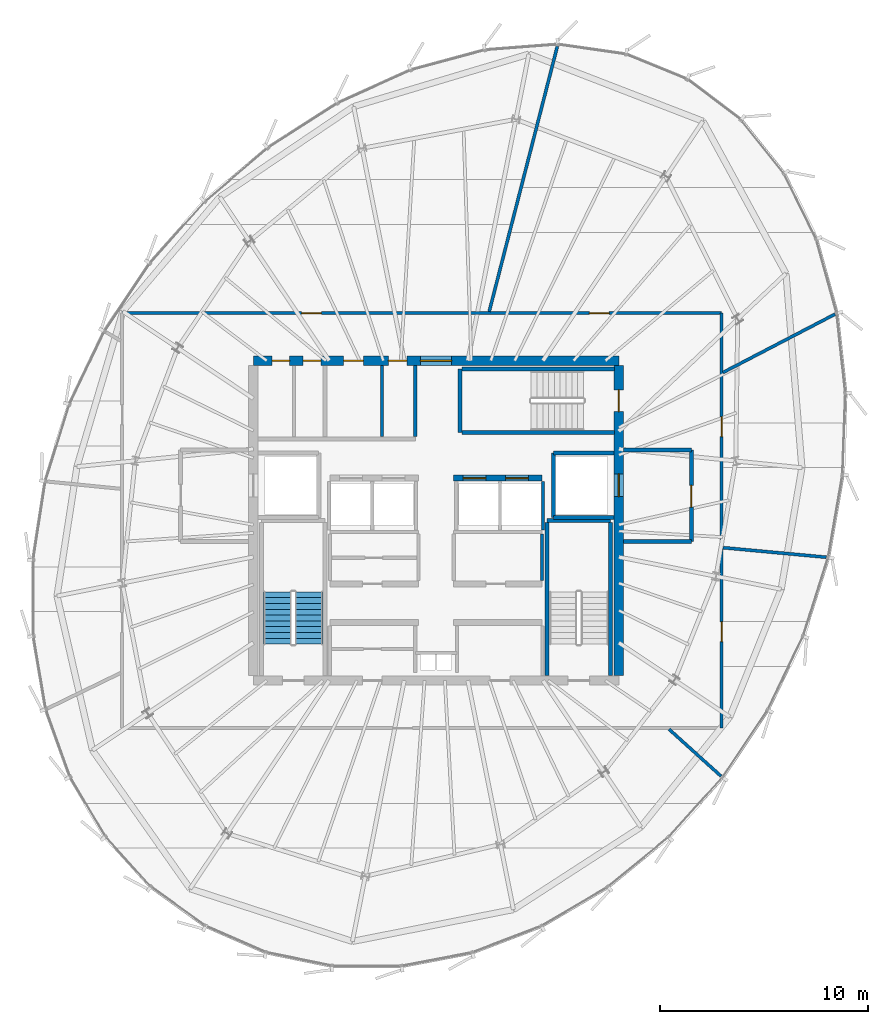
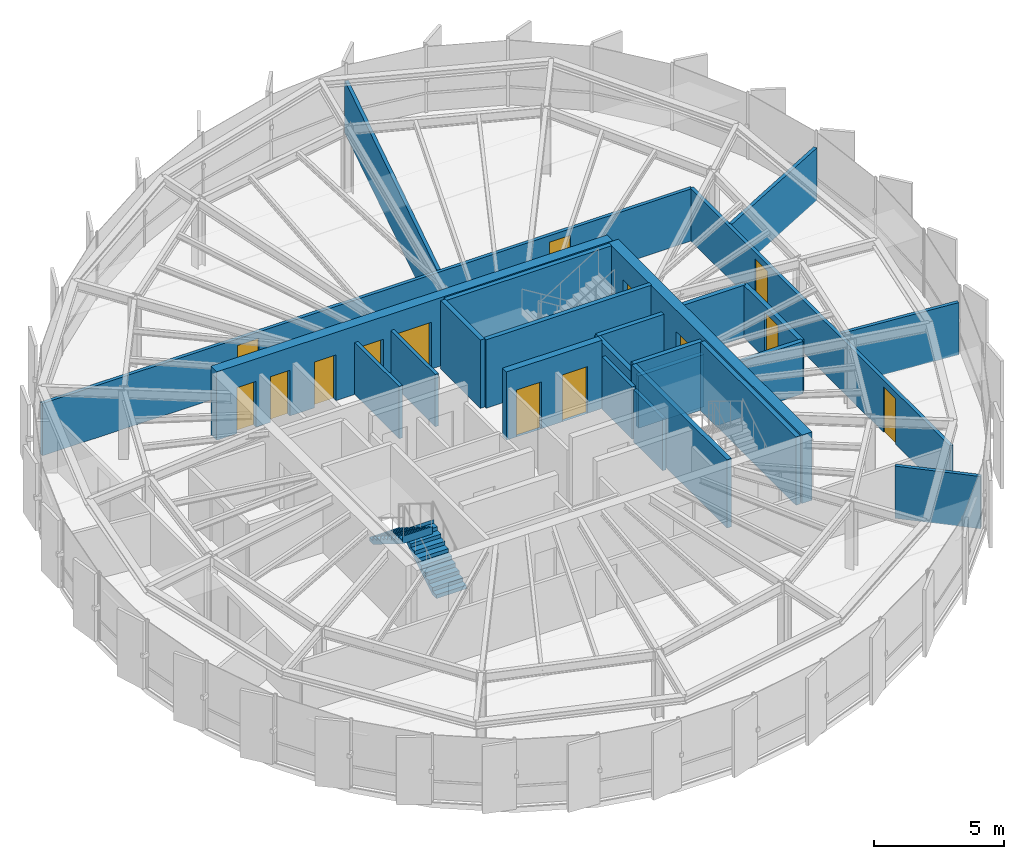
# One storey, part 26 of 31: 25 walls, 14 doors, 2 stair flights, 14 openings, 1 element without a shape of its own.
"""IFC4 building model written with IfcOpenShell, lengths in metres."""

from ifc_helpers import new_model, si_unit, direction, frame, frame_2d, origin, place, context, subcontext, project, spatial, polyline, rectangle, outline, extrude, source, transform, mapped, material, layer, layer_set, type_object, element, fill, aggregate, save


model = new_model("IFC4")

# Units and contexts
model_context = context("Model", 3, precision=1e-05, world=origin(), true_north=direction((0.0, 1.0)))
body_context = subcontext(model_context, "Body", "Model", "MODEL_VIEW")
ifc_project = project(units=[si_unit("LENGTHUNIT", "METRE"), si_unit("AREAUNIT", "SQUARE_METRE"), si_unit("VOLUMEUNIT", "CUBIC_METRE"), si_unit("PLANEANGLEUNIT", "RADIAN"), si_unit("MASSUNIT", "GRAM", prefix="KILO"), si_unit("THERMODYNAMICTEMPERATUREUNIT", "KELVIN")], contexts=[model_context])

# Site, building, storey
site_placement = place(None, origin())
site = spatial("IfcSite", under=ifc_project, at=site_placement, CompositionType="ELEMENT")
building_placement = place(site_placement, origin())
building = spatial("IfcBuilding", under=site, at=building_placement, Name="Kethvar Cultural Tower", CompositionType="ELEMENT")
storey_placement = place(building_placement, frame((0.0, 0.0, 276.699951171875)))
storey = spatial("IfcBuildingStorey", under=building, at=storey_placement, Name="L73", CompositionType="ELEMENT", Elevation=276.699951171875)

# Wall, openings, doors
ifc_material_1 = material(Name="Concrete C50/60", Category="concrete")
ifc_layer_1 = layer(ifc_material_1, 0.449951171875, Name="Concrete C50/60", Category="concrete")
ifc_layer_set_1 = layer_set([ifc_layer_1], Name="Concrete C50/60 (450 mm)")
wall_type_1 = type_object("IfcWallType", Name="WL-CORE-450", PredefinedType="SHEAR", material=ifc_layer_set_1)
wall_1_placement = place(storey_placement, frame((55.60009765625, 35.5, 0.0), z_axis=(0.0, 0.0, 1.0), x_axis=(-1.0, 0.0, 0.0)))
wall_1 = element("IfcWall", 1, at=wall_1_placement, inside=storey, type_object=wall_type_1, Name="L73 Core Shear Wall N", PredefinedType="SHEAR", context=body_context, shape_type="SweptSolid", body=[
    extrude(rectangle(XDim=17.60009765625, YDim=0.449951171875, at=frame_2d((8.800048828125, 0.0))), origin(), (0.0, 0.0, 1.0), 3.2099609375),
])
opening_1_placement = place(wall_1_placement, frame((8.050048828125, 0.0, 0.0)))
opening_1 = element("IfcOpeningElement", 2, at=opening_1_placement, cuts=wall_1, Name="Opening D-L73-LN", PredefinedType="OPENING", context=body_context, shape_type="SweptSolid", body=[
    extrude(rectangle(XDim=1.5, YDim=2.199951171875, at=frame_2d((0.75, 1.10009765625))), frame((0.0, 0.23486328125, 0.0), z_axis=(0.0, -1.0, 0.0), x_axis=(1.0, 0.0, 0.0)), (0.0, 0.0, 1.0), 0.469970703125),
])
opening_2_placement = place(wall_1_placement, frame((15.85009765625, 0.0, 0.0)))
opening_2 = element("IfcOpeningElement", 3, at=opening_2_placement, cuts=wall_1, Name="Opening D-L73-E1", PredefinedType="OPENING", context=body_context, shape_type="SweptSolid", body=[
    extrude(rectangle(XDim=0.85009765625, YDim=2.14990234375, at=frame_2d((0.425048828125, 1.074951171875))), frame((0.0, 0.23486328125, 0.0), z_axis=(0.0, -1.0, 0.0), x_axis=(1.0, 0.0, 0.0)), (0.0, 0.0, 1.0), 0.469970703125),
])
opening_3_placement = place(wall_1_placement, frame((14.35009765625, 0.0, 0.0)))
opening_3 = element("IfcOpeningElement", 4, at=opening_3_placement, cuts=wall_1, Name="Opening D-L73-E2", PredefinedType="OPENING", context=body_context, shape_type="SweptSolid", body=[
    extrude(rectangle(XDim=0.85009765625, YDim=2.14990234375, at=frame_2d((0.425048828125, 1.074951171875))), frame((0.0, 0.23486328125, 0.0), z_axis=(0.0, -1.0, 0.0), x_axis=(1.0, 0.0, 0.0)), (0.0, 0.0, 1.0), 0.469970703125),
])
opening_4_placement = place(wall_1_placement, frame((12.300048828125, 0.0, 0.0)))
opening_4 = element("IfcOpeningElement", 5, at=opening_4_placement, cuts=wall_1, Name="Opening D-L73-W1", PredefinedType="OPENING", context=body_context, shape_type="SweptSolid", body=[
    extrude(rectangle(XDim=0.949951171875, YDim=2.14990234375, at=frame_2d((0.47509765625, 1.074951171875))), frame((0.0, 0.23486328125, 0.0), z_axis=(0.0, -1.0, 0.0), x_axis=(1.0, 0.0, 0.0)), (0.0, 0.0, 1.0), 0.469970703125),
])
opening_5_placement = place(wall_1_placement, frame((10.199951171875, 0.0, 0.0)))
opening_5 = element("IfcOpeningElement", 6, at=opening_5_placement, cuts=wall_1, Name="Opening D-L73-W2", PredefinedType="OPENING", context=body_context, shape_type="SweptSolid", body=[
    extrude(rectangle(XDim=0.89990234375, YDim=2.14990234375, at=frame_2d((0.449951171875, 1.074951171875))), frame((0.0, 0.23486328125, 0.0), z_axis=(0.0, -1.0, 0.0), x_axis=(1.0, 0.0, 0.0)), (0.0, 0.0, 1.0), 0.469970703125),
])
ifc_material_2 = material(Name="Architectural Oak Timber", Category="wood")
door_type_1 = type_object("IfcDoorType", Name="DR-DBL-FD60-1500", OperationType="DOUBLE_DOOR_SINGLE_SWING", PredefinedType="DOOR", material=ifc_material_2)
shared_shape_1 = source(origin(), body_context, "Body", "SweptSolid", [
    extrude(rectangle(XDim=1.5, YDim=2.199951171875, at=frame_2d((0.75, 1.10009765625))), frame((0.0, 0.02490234375, 0.0), z_axis=(0.0, -1.0, 0.0), x_axis=(1.0, 0.0, 0.0)), (0.0, 0.0, 1.0), 0.050048828125),
])
door_1_placement = place(opening_1_placement, origin())
door_1 = element("IfcDoor", 7, at=door_1_placement, inside=storey, type_object=door_type_1, Name="L73 Lift Lobby Concourse Door", OperationType="DOUBLE_DOOR_SINGLE_SWING", OverallHeight=2.199951171875, OverallWidth=1.5, PredefinedType="DOOR", context=body_context, shape_type="MappedRepresentation", body=[
    mapped(shared_shape_1, transform((0.0, 0.0, 0.0), scale=1.0)),
])
fill(opening_1, door_1)
door_type_2 = type_object("IfcDoorType", Name="DR-FD30-950", OperationType="NOTDEFINED", PredefinedType="DOOR", material=ifc_material_2)
shared_shape_2 = source(origin(), body_context, "Body", "SweptSolid", [
    extrude(rectangle(XDim=0.949951171875, YDim=2.14990234375, at=frame_2d((0.47509765625, 1.074951171875))), frame((0.0, 0.02490234375, 0.0), z_axis=(0.0, -1.0, 0.0), x_axis=(1.0, 0.0, 0.0)), (0.0, 0.0, 1.0), 0.050048828125),
])
door_2_placement = place(opening_4_placement, origin())
door_2 = element("IfcDoor", 8, at=door_2_placement, inside=storey, type_object=door_type_2, Name="L73 Public Washroom Door", OperationType="SINGLE_SWING_LEFT", OverallHeight=2.14990234375, OverallWidth=0.949951171875, PredefinedType="DOOR", context=body_context, shape_type="MappedRepresentation", body=[
    mapped(shared_shape_2, transform((0.0, 0.0, 0.0), scale=1.0)),
])
fill(opening_4, door_2)
door_type_3 = type_object("IfcDoorType", Name="DR-FD30-900", OperationType="NOTDEFINED", PredefinedType="DOOR", material=ifc_material_2)
shared_shape_3 = source(origin(), body_context, "Body", "SweptSolid", [
    extrude(rectangle(XDim=0.89990234375, YDim=2.14990234375, at=frame_2d((0.449951171875, 1.074951171875))), frame((0.0, 0.02490234375, 0.0), z_axis=(0.0, -1.0, 0.0), x_axis=(1.0, 0.0, 0.0)), (0.0, 0.0, 1.0), 0.050048828125),
])
door_3_placement = place(opening_5_placement, origin())
door_3 = element("IfcDoor", 9, at=door_3_placement, inside=storey, type_object=door_type_3, Name="L73 Accessible Washroom Door", OperationType="SINGLE_SWING_RIGHT", OverallHeight=2.14990234375, OverallWidth=0.89990234375, PredefinedType="DOOR", context=body_context, shape_type="MappedRepresentation", body=[
    mapped(shared_shape_3, transform((0.0, 0.0, 0.0), scale=1.0)),
])
fill(opening_5, door_3)
ifc_material_3 = material(Name="Steel S355J2", Category="steel")
door_type_4 = type_object("IfcDoorType", Name="DR-FD30-850", OperationType="NOTDEFINED", PredefinedType="DOOR", material=ifc_material_3)
shared_shape_4 = source(origin(), body_context, "Body", "SweptSolid", [
    extrude(rectangle(XDim=0.85009765625, YDim=2.14990234375, at=frame_2d((0.425048828125, 1.074951171875))), frame((0.0, 0.02490234375, 0.0), z_axis=(0.0, -1.0, 0.0), x_axis=(1.0, 0.0, 0.0)), (0.0, 0.0, 1.0), 0.050048828125),
])
door_4_placement = place(opening_2_placement, origin())
door_4 = element("IfcDoor", 10, at=door_4_placement, inside=storey, type_object=door_type_4, Name="L73 Electrical Riser Door", OperationType="SINGLE_SWING_LEFT", OverallHeight=2.14990234375, OverallWidth=0.85009765625, PredefinedType="DOOR", context=body_context, shape_type="MappedRepresentation", body=[
    mapped(shared_shape_4, transform((0.0, 0.0, 0.0), scale=1.0)),
])
fill(opening_2, door_4)
door_5_placement = place(opening_3_placement, origin())
door_5 = element("IfcDoor", 11, at=door_5_placement, inside=storey, type_object=door_type_4, Name="L73 Chilled Water Riser Door", OperationType="SINGLE_SWING_RIGHT", OverallHeight=2.14990234375, OverallWidth=0.85009765625, PredefinedType="DOOR", context=body_context, shape_type="MappedRepresentation", body=[
    mapped(shared_shape_4, transform((0.0, 0.0, 0.0), scale=1.0)),
])
fill(opening_3, door_5)

wall_2_placement = place(storey_placement, frame((55.60009765625, 20.340087890625, 0.0), z_axis=(0.0, 0.0, 1.0), x_axis=(0.0, 1.0, 0.0)))
wall_2 = element("IfcWall", 12, at=wall_2_placement, inside=storey, type_object=wall_type_1, Name="L73 Core Shear Wall E", PredefinedType="SHEAR", context=body_context, shape_type="SweptSolid", body=[
    extrude(rectangle(XDim=14.919921875, YDim=0.449951171875, at=frame_2d((7.4599609375, 0.0))), origin(), (0.0, 0.0, 1.0), 3.2099609375),
])
opening_6_placement = place(wall_2_placement, frame((12.7099609375, 0.0, 0.0)))
opening_6 = element("IfcOpeningElement", 13, at=opening_6_placement, cuts=wall_2, Name="Opening D-L73-S3", PredefinedType="OPENING", context=body_context, shape_type="SweptSolid", body=[
    extrude(rectangle(XDim=1.050048828125, YDim=2.14990234375, at=frame_2d((0.52490234375, 1.074951171875))), frame((0.0, 0.23486328125, 0.0), z_axis=(0.0, -1.0, 0.0), x_axis=(1.0, 0.0, 0.0)), (0.0, 0.0, 1.0), 0.469970703125),
])
opening_7_placement = place(wall_2_placement, frame((8.610107421875, 0.0, 0.0)))
opening_7 = element("IfcOpeningElement", 14, at=opening_7_placement, cuts=wall_2, Name="Opening LD-2", PredefinedType="OPENING", context=body_context, shape_type="SweptSolid", body=[
    extrude(rectangle(XDim=1.10009765625, YDim=2.199951171875, at=frame_2d((0.550048828125, 1.10009765625))), frame((0.0, 0.23486328125, 0.0), z_axis=(0.0, -1.0, 0.0), x_axis=(1.0, 0.0, 0.0)), (0.0, 0.0, 1.0), 0.469970703125),
])
door_type_5 = type_object("IfcDoorType", Name="DR-FD60-1050", OperationType="NOTDEFINED", PredefinedType="DOOR", material=ifc_material_3)
shared_shape_5 = source(origin(), body_context, "Body", "SweptSolid", [
    extrude(rectangle(XDim=1.050048828125, YDim=2.14990234375, at=frame_2d((0.52490234375, 1.074951171875))), frame((0.0, 0.02490234375, 0.0), z_axis=(0.0, -1.0, 0.0), x_axis=(1.0, 0.0, 0.0)), (0.0, 0.0, 1.0), 0.050048828125),
])
door_6_placement = place(opening_6_placement, origin())
door_6 = element("IfcDoor", 15, at=door_6_placement, inside=storey, type_object=door_type_5, Name="L73 Exit Stair 3 Door", OperationType="SINGLE_SWING_LEFT", OverallHeight=2.14990234375, OverallWidth=1.050048828125, PredefinedType="DOOR", context=body_context, shape_type="MappedRepresentation", body=[
    mapped(shared_shape_5, transform((0.0, 0.0, 0.0), scale=1.0)),
])
fill(opening_6, door_6)
door_type_6 = type_object("IfcDoorType", Name="DR-LIFT-SLIDE-1100", OperationType="NOTDEFINED", PredefinedType="DOOR", material=ifc_material_3)
shared_shape_6 = source(origin(), body_context, "Body", "SweptSolid", [
    extrude(rectangle(XDim=1.10009765625, YDim=2.199951171875, at=frame_2d((0.550048828125, 1.10009765625))), frame((0.0, 0.02490234375, 0.0), z_axis=(0.0, -1.0, 0.0), x_axis=(1.0, 0.0, 0.0)), (0.0, 0.0, 1.0), 0.050048828125),
])
door_7_placement = place(opening_7_placement, origin())
door_7 = element("IfcDoor", 16, at=door_7_placement, inside=storey, type_object=door_type_6, Name="L73 Firefighting Lift Landing Door FFL-02", OperationType="SLIDING_TO_RIGHT", OverallHeight=2.199951171875, OverallWidth=1.10009765625, PredefinedType="DOOR", context=body_context, shape_type="MappedRepresentation", body=[
    mapped(shared_shape_6, transform((0.0, 0.0, 0.0), scale=1.0)),
])
fill(opening_7, door_7)

# Walls
ifc_material_4 = material(Name="Gypsum Fireboard Partition")
ifc_layer_2 = layer(ifc_material_4, 0.14990234375, Name="Gypsum Fireboard Partition")
ifc_layer_set_2 = layer_set([ifc_layer_2], Name="Gypsum Fireboard Partition (150 mm)")
wall_type_2 = type_object("IfcWallType", Name="WL-FIRE-150", PredefinedType="PARTITIONING", material=ifc_layer_set_2)
wall_3_placement = place(storey_placement, frame((51.89990234375, 24.919921875, 0.0), z_axis=(0.0, 0.0, 1.0), x_axis=(0.0, 1.0, 0.0)))
element("IfcWall", 17, at=wall_3_placement, inside=storey, type_object=wall_type_2, Name="L73 Reclaimed Mid Outer E", PredefinedType="PARTITIONING", context=body_context, shape_type="SweptSolid", body=[
    extrude(rectangle(XDim=2.239990234375, YDim=0.14990234375, at=frame_2d((1.1201171875, 0.0))), origin(), (0.0, 0.0, 1.0), 2.455078125),
])
wall_4_placement = place(storey_placement, frame((51.949951171875, 27.340087890625, 0.0), z_axis=(0.0, 0.0, 1.0), x_axis=(0.0, 1.0, 0.0)))
element("IfcWall", 18, at=wall_4_placement, inside=storey, type_object=wall_type_2, Name="L73 High-Rise Lift Shaft Outer Wall E", PredefinedType="PARTITIONING", context=body_context, shape_type="SweptSolid", body=[
    extrude(rectangle(XDim=2.33984375, YDim=0.14990234375, at=frame_2d((1.169921875, 0.0))), origin(), (0.0, 0.0, 1.0), 2.455078125),
])
wall_5_placement = place(storey_placement, frame((45.800048828125, 31.85009765625, 0.0), z_axis=(0.0, 0.0, 1.0), x_axis=(0.0, 1.0, 0.0)))
element("IfcWall", 19, at=wall_5_placement, inside=storey, type_object=wall_type_2, Name="L73 Sanitary Spine Wall", PredefinedType="PARTITIONING", context=body_context, shape_type="SweptSolid", body=[
    extrude(rectangle(XDim=3.414794921875, YDim=0.14990234375, at=frame_2d((1.70751953125, 0.0))), origin(), (0.0, 0.0, 1.0), 2.455078125),
])

# Wall, openings, doors
wall_6_placement = place(storey_placement, frame((60.550048828125, 17.806884765625, 0.0), z_axis=(0.0, 0.0, 1.0), x_axis=(0.0, 1.0, 0.0)))
wall_6 = element("IfcWall", 20, at=wall_6_placement, inside=storey, type_object=wall_type_2, Name="L73 Corridor Rated Wall E", PredefinedType="PARTITIONING", context=body_context, shape_type="SweptSolid", body=[
    extrude(rectangle(XDim=19.986083984375, YDim=0.14990234375, at=frame_2d((9.9931640625, 0.0))), origin(), (0.0, 0.0, 1.0), 2.455078125),
])
opening_8_placement = place(wall_6_placement, frame((4.16357421875, 0.0, 0.0)))
opening_8 = element("IfcOpeningElement", 21, at=opening_8_placement, cuts=wall_6, Name="Opening D-L73-02", PredefinedType="OPENING", context=body_context, shape_type="SweptSolid", body=[
    extrude(rectangle(XDim=0.949951171875, YDim=2.14990234375, at=frame_2d((0.47509765625, 1.074951171875))), frame((0.0, 0.0849609375, 0.0), z_axis=(0.0, -1.0, 0.0), x_axis=(1.0, 0.0, 0.0)), (0.0, 0.0, 1.0), 0.169921875),
])
opening_9_placement = place(wall_6_placement, frame((14.036376953125, 0.0, 0.0)))
opening_9 = element("IfcOpeningElement", 22, at=opening_9_placement, cuts=wall_6, Name="Opening D-L73-03", PredefinedType="OPENING", context=body_context, shape_type="SweptSolid", body=[
    extrude(rectangle(XDim=0.949951171875, YDim=2.14990234375, at=frame_2d((0.47509765625, 1.074951171875))), frame((0.0, 0.0849609375, 0.0), z_axis=(0.0, -1.0, 0.0), x_axis=(1.0, 0.0, 0.0)), (0.0, 0.0, 1.0), 0.169921875),
])
door_8_placement = place(opening_8_placement, origin())
door_8 = element("IfcDoor", 23, at=door_8_placement, inside=storey, type_object=door_type_2, Name="L73 Hospitality Sitting Lounge 02 Door", OperationType="SINGLE_SWING_LEFT", OverallHeight=2.14990234375, OverallWidth=0.949951171875, PredefinedType="DOOR", context=body_context, shape_type="MappedRepresentation", body=[
    mapped(shared_shape_2, transform((0.0, 0.0, 0.0), scale=1.0)),
])
fill(opening_8, door_8)
door_9_placement = place(opening_9_placement, origin())
door_9 = element("IfcDoor", 24, at=door_9_placement, inside=storey, type_object=door_type_2, Name="L73 Institutional Tenant Office 03 Door", OperationType="SINGLE_SWING_RIGHT", OverallHeight=2.14990234375, OverallWidth=0.949951171875, PredefinedType="DOOR", context=body_context, shape_type="MappedRepresentation", body=[
    mapped(shared_shape_2, transform((0.0, 0.0, 0.0), scale=1.0)),
])
fill(opening_9, door_9)

wall_7_placement = place(storey_placement, frame((60.550048828125, 37.79296875, 0.0), z_axis=(0.0, 0.0, 1.0), x_axis=(-1.0, 0.0, 0.0)))
wall_7 = element("IfcWall", 25, at=wall_7_placement, inside=storey, type_object=wall_type_2, Name="L73 Corridor Rated Wall N", PredefinedType="PARTITIONING", context=body_context, shape_type="SweptSolid", body=[
    extrude(rectangle(XDim=28.8701171875, YDim=0.14990234375, at=frame_2d((14.43505859375, 0.0))), origin(), (0.0, 0.0, 1.0), 2.455078125),
])
opening_10_placement = place(wall_7_placement, frame((5.41943359375, 0.0, 0.0)))
opening_10 = element("IfcOpeningElement", 26, at=opening_10_placement, cuts=wall_7, Name="Opening D-L73-04", PredefinedType="OPENING", context=body_context, shape_type="SweptSolid", body=[
    extrude(rectangle(XDim=0.949951171875, YDim=2.14990234375, at=frame_2d((0.47509765625, 1.074951171875))), frame((0.0, 0.0849609375, 0.0), z_axis=(0.0, -1.0, 0.0), x_axis=(1.0, 0.0, 0.0)), (0.0, 0.0, 1.0), 0.169921875),
])
opening_11_placement = place(wall_7_placement, frame((19.27001953125, 0.0, 0.0)))
opening_11 = element("IfcOpeningElement", 27, at=opening_11_placement, cuts=wall_7, Name="Opening D-L73-05", PredefinedType="OPENING", context=body_context, shape_type="SweptSolid", body=[
    extrude(rectangle(XDim=0.949951171875, YDim=2.14990234375, at=frame_2d((0.47509765625, 1.074951171875))), frame((0.0, 0.0849609375, 0.0), z_axis=(0.0, -1.0, 0.0), x_axis=(1.0, 0.0, 0.0)), (0.0, 0.0, 1.0), 0.169921875),
])
door_10_placement = place(opening_10_placement, origin())
door_10 = element("IfcDoor", 28, at=door_10_placement, inside=storey, type_object=door_type_2, Name="L73 Operations Control Room 04 Door", OperationType="SINGLE_SWING_LEFT", OverallHeight=2.14990234375, OverallWidth=0.949951171875, PredefinedType="DOOR", context=body_context, shape_type="MappedRepresentation", body=[
    mapped(shared_shape_2, transform((0.0, 0.0, 0.0), scale=1.0)),
])
fill(opening_10, door_10)
door_11_placement = place(opening_11_placement, origin())
door_11 = element("IfcDoor", 29, at=door_11_placement, inside=storey, type_object=door_type_2, Name="L73 Manuscript Archive Store 05 Door", OperationType="SINGLE_SWING_RIGHT", OverallHeight=2.14990234375, OverallWidth=0.949951171875, PredefinedType="DOOR", context=body_context, shape_type="MappedRepresentation", body=[
    mapped(shared_shape_2, transform((0.0, 0.0, 0.0), scale=1.0)),
])
fill(opening_11, door_11)

# Walls
ifc_material_5 = material(Name="Concrete C40/50", Category="concrete")
ifc_layer_3 = layer(ifc_material_5, 0.199951171875, Name="Concrete C40/50", Category="concrete")
ifc_layer_set_3 = layer_set([ifc_layer_3], Name="Concrete C40/50 (200 mm)")
wall_type_3 = type_object("IfcWallType", Name="WL-FIRE-200", PredefinedType="PARTITIONING", material=ifc_layer_set_3)
wall_8_placement = place(storey_placement, frame((52.449951171875, 27.949951171875, 0.0), z_axis=(0.0, 0.0, 1.0), x_axis=(0.0, 1.0, 0.0)))
element("IfcWall", 30, at=wall_8_placement, inside=storey, type_object=wall_type_3, Name="L73 FFL-02 Shaft Inner Wall", PredefinedType="PARTITIONING", context=body_context, shape_type="SweptSolid", body=[
    extrude(rectangle(XDim=3.10009765625, YDim=0.199951171875, at=frame_2d((1.550048828125, 0.0))), origin(), (0.0, 0.0, 1.0), 2.455078125),
])
for number, where, z_axis, x_axis, name in (
    (31, (52.449951171875, 27.949951171875, 0.0), (0.0, 0.0, 1.0), (1.0, 0.0, 0.0), "L73 FFL-02 Shaft South Wall"),
    (32, (52.449951171875, 31.050048828125, 0.0), (0.0, 0.0, 1.0), (1.0, 0.0, 0.0), "L73 FFL-02 Shaft North Wall"),
):
    element("IfcWall", number, at=place(storey_placement, frame(where, z_axis=z_axis, x_axis=x_axis)), inside=storey, type_object=wall_type_3, Name=name, PredefinedType="PARTITIONING", context=body_context, shape_type="SweptSolid", body=[
        extrude(rectangle(XDim=2.9150390625, YDim=0.199951171875, at=frame_2d((1.45751953125, 0.0))), origin(), (0.0, 0.0, 1.0), 2.455078125),
    ])

# Wall, opening, door
wall_9_placement = place(storey_placement, frame((59.10009765625, 26.800048828125, 0.0), z_axis=(0.0, 0.0, 1.0), x_axis=(0.0, 1.0, 0.0)))
wall_9 = element("IfcWall", 33, at=wall_9_placement, inside=storey, type_object=wall_type_3, Name="L73 Firefighting Lobby 2 Wall", PredefinedType="PARTITIONING", context=body_context, shape_type="SweptSolid", body=[
    extrude(rectangle(XDim=4.39990234375, YDim=0.199951171875, at=frame_2d((2.199951171875, 0.0))), origin(), (0.0, 0.0, 1.0), 2.455078125),
])
opening_12_placement = place(wall_9_placement, frame((1.64990234375, 0.0, 0.0)))
opening_12 = element("IfcOpeningElement", 34, at=opening_12_placement, cuts=wall_9, Name="Opening D-L73-F2", PredefinedType="OPENING", context=body_context, shape_type="SweptSolid", body=[
    extrude(rectangle(XDim=1.050048828125, YDim=2.14990234375, at=frame_2d((0.52490234375, 1.074951171875))), frame((0.0, 0.10986328125, 0.0), z_axis=(0.0, -1.0, 0.0), x_axis=(1.0, 0.0, 0.0)), (0.0, 0.0, 1.0), 0.219970703125),
])
door_12_placement = place(opening_12_placement, origin())
door_12 = element("IfcDoor", 35, at=door_12_placement, inside=storey, type_object=door_type_5, Name="L73 Firefighting Lobby 2 Fire Door", OperationType="SINGLE_SWING_LEFT", OverallHeight=2.14990234375, OverallWidth=1.050048828125, PredefinedType="DOOR", context=body_context, shape_type="MappedRepresentation", body=[
    mapped(shared_shape_5, transform((0.0, 0.0, 0.0), scale=1.0)),
])
fill(opening_12, door_12)

# Walls
for number, where, z_axis, x_axis, name in (
    (36, (55.8349609375, 26.800048828125, 0.0), (0.0, 0.0, 1.0), (1.0, 0.0, 0.0), "L73 FF Lobby 2 South Wall"),
    (37, (55.8349609375, 31.199951171875, 0.0), (0.0, 0.0, 1.0), (1.0, 0.0, 0.0), "L73 FF Lobby 2 North Wall"),
):
    element("IfcWall", number, at=place(storey_placement, frame(where, z_axis=z_axis, x_axis=x_axis)), inside=storey, type_object=wall_type_3, Name=name, PredefinedType="PARTITIONING", context=body_context, shape_type="SweptSolid", body=[
        extrude(rectangle(XDim=3.26513671875, YDim=0.199951171875, at=frame_2d((1.632568359375, 0.0))), origin(), (0.0, 0.0, 1.0), 2.455078125),
    ])
ifc_material_6 = material(Name="Gypsum Acoustic Partition")
ifc_layer_4 = layer(ifc_material_6, 0.14990234375, Name="Gypsum Acoustic Partition")
ifc_layer_set_4 = layer_set([ifc_layer_4], Name="Gypsum Acoustic Partition (150 mm)")
wall_type_4 = type_object("IfcWallType", Name="WL-PART-150", PredefinedType="PARTITIONING", material=ifc_layer_set_4)
wall_10_placement = place(storey_placement, frame((58.0205078125, 17.75341796875, 0.0), z_axis=(0.0, 0.0, 1.0), x_axis=(0.742383464778, -0.669975216873, 0.0)))
element("IfcWall", 38, at=wall_10_placement, inside=storey, type_object=wall_type_4, Name="L73 Radial Partition Wall 02", PredefinedType="PARTITIONING", context=body_context, shape_type="SweptSolid", body=[
    extrude(rectangle(XDim=3.375, YDim=0.14990234375, at=frame_2d((1.6875, 0.0))), origin(), (0.0, 0.0, 1.0), 2.455078125),
])
wall_11_placement = place(storey_placement, frame((60.629638671875, 26.496826171875, 0.0), z_axis=(0.0, 0.0, 1.0), x_axis=(0.995729843394, -0.092315106964, 0.0)))
element("IfcWall", 39, at=wall_11_placement, inside=storey, type_object=wall_type_4, Name="L73 Radial Partition Wall 03", PredefinedType="PARTITIONING", context=body_context, shape_type="SweptSolid", body=[
    extrude(rectangle(XDim=4.985107421875, YDim=0.14990234375, at=frame_2d((2.49267578125, 0.0))), origin(), (0.0, 0.0, 1.0), 2.455078125),
])
wall_12_placement = place(storey_placement, frame((60.62109375, 34.935546875, 0.0), z_axis=(0.0, 0.0, 1.0), x_axis=(0.887068888944, 0.461637072025, 0.0)))
element("IfcWall", 40, at=wall_12_placement, inside=storey, type_object=wall_type_4, Name="L73 Radial Partition Wall 04", PredefinedType="PARTITIONING", context=body_context, shape_type="SweptSolid", body=[
    extrude(rectangle(XDim=6.08251953125, YDim=0.14990234375, at=frame_2d((3.041259765625, 0.0))), origin(), (0.0, 0.0, 1.0), 2.455078125),
])
wall_13_placement = place(storey_placement, frame((49.36083984375, 37.87060546875, 0.0), z_axis=(0.0, 0.0, 1.0), x_axis=(0.248764179593, 0.968564083038, 0.0)))
element("IfcWall", 41, at=wall_13_placement, inside=storey, type_object=wall_type_4, Name="L73 Radial Partition Wall 05", PredefinedType="PARTITIONING", context=body_context, shape_type="SweptSolid", body=[
    extrude(rectangle(XDim=13.187255859375, YDim=0.14990234375, at=frame_2d((6.59375, 0.0))), origin(), (0.0, 0.0, 1.0), 2.455078125),
])
ifc_material_7 = material(Name="Moisture-Resistant Sanitary Chase Wall")
ifc_layer_5 = layer(ifc_material_7, 0.14990234375, Name="Moisture-Resistant Sanitary Chase Wall")
ifc_layer_set_5 = layer_set([ifc_layer_5], Name="Moisture-Resistant Sanitary Chase Wall (150 mm)")
wall_type_5 = type_object("IfcWallType", Name="WL-PLUMB-150", PredefinedType="PLUMBINGWALL", material=ifc_layer_set_5)
wall_14_placement = place(storey_placement, frame((44.199951171875, 31.85009765625, 0.0), z_axis=(0.0, 0.0, 1.0), x_axis=(0.0, 1.0, 0.0)))
element("IfcWall", 42, at=wall_14_placement, inside=storey, type_object=wall_type_5, Name="L73 Sanitary Plumbing Wall", PredefinedType="PLUMBINGWALL", context=body_context, shape_type="SweptSolid", body=[
    extrude(rectangle(XDim=3.414794921875, YDim=0.14990234375, at=frame_2d((1.70751953125, 0.0))), origin(), (0.0, 0.0, 1.0), 2.455078125),
])

# Wall, openings, doors
ifc_layer_6 = layer(ifc_material_1, 0.300048828125, Name="Concrete C50/60", Category="concrete")
ifc_layer_set_6 = layer_set([ifc_layer_6], Name="Concrete C50/60 (300 mm)")
wall_type_6 = type_object("IfcWallType", Name="WL-SHAFT-300", PredefinedType="SHEAR", material=ifc_layer_set_6)
wall_15_placement = place(storey_placement, frame((47.64990234375, 29.85009765625, 0.0), z_axis=(0.0, 0.0, 1.0), x_axis=(1.0, 0.0, 0.0)))
wall_15 = element("IfcWall", 43, at=wall_15_placement, inside=storey, type_object=wall_type_6, Name="L73 Core Lift Spine Wall MID3E", PredefinedType="SHEAR", context=body_context, shape_type="SweptSolid", body=[
    extrude(rectangle(XDim=4.25, YDim=0.300048828125, at=frame_2d((2.125, 0.0))), origin(), (0.0, 0.0, 1.0), 3.2099609375),
])
opening_13_placement = place(wall_15_placement, frame((0.449951171875, 0.0, 0.0)))
opening_13 = element("IfcOpeningElement", 44, at=opening_13_placement, cuts=wall_15, Name="Opening LD-H3", PredefinedType="OPENING", context=body_context, shape_type="SweptSolid", body=[
    extrude(rectangle(XDim=1.10009765625, YDim=2.199951171875, at=frame_2d((0.550048828125, 1.10009765625))), frame((0.0, 0.159912109375, 0.0), z_axis=(0.0, -1.0, 0.0), x_axis=(1.0, 0.0, 0.0)), (0.0, 0.0, 1.0), 0.320068359375),
])
opening_14_placement = place(wall_15_placement, frame((2.5, 0.0, 0.0)))
opening_14 = element("IfcOpeningElement", 45, at=opening_14_placement, cuts=wall_15, Name="Opening LD-H4", PredefinedType="OPENING", context=body_context, shape_type="SweptSolid", body=[
    extrude(rectangle(XDim=1.10009765625, YDim=2.199951171875, at=frame_2d((0.550048828125, 1.10009765625))), frame((0.0, 0.159912109375, 0.0), z_axis=(0.0, -1.0, 0.0), x_axis=(1.0, 0.0, 0.0)), (0.0, 0.0, 1.0), 0.320068359375),
])
door_13_placement = place(opening_13_placement, origin())
door_13 = element("IfcDoor", 46, at=door_13_placement, inside=storey, type_object=door_type_6, Name="L73 High-Rise Lift Landing Door H3", OperationType="SLIDING_TO_LEFT", OverallHeight=2.199951171875, OverallWidth=1.10009765625, PredefinedType="DOOR", context=body_context, shape_type="MappedRepresentation", body=[
    mapped(shared_shape_6, transform((0.0, 0.0, 0.0), scale=1.0)),
])
fill(opening_13, door_13)
door_14_placement = place(opening_14_placement, origin())
door_14 = element("IfcDoor", 47, at=door_14_placement, inside=storey, type_object=door_type_6, Name="L73 High-Rise Lift Landing Door H4", OperationType="SLIDING_TO_LEFT", OverallHeight=2.199951171875, OverallWidth=1.10009765625, PredefinedType="DOOR", context=body_context, shape_type="MappedRepresentation", body=[
    mapped(shared_shape_6, transform((0.0, 0.0, 0.0), scale=1.0)),
])
fill(opening_14, door_14)

# Walls
ifc_layer_7 = layer(ifc_material_1, 0.199951171875, Name="Concrete C50/60", Category="concrete")
ifc_layer_set_7 = layer_set([ifc_layer_7], Name="Concrete C50/60 (200 mm)")
wall_type_7 = type_object("IfcWallType", Name="WL-STSHAFT-200", PredefinedType="SHEAR", material=ifc_layer_set_7)
wall_16_placement = place(storey_placement, frame((52.14990234375, 27.800048828125, 0.0), z_axis=(0.0, 0.0, 1.0), x_axis=(1.0, 0.0, 0.0)))
element("IfcWall", 48, at=wall_16_placement, inside=storey, type_object=wall_type_7, Name="L73 ST-02 Stair Shaft Wall FAR", PredefinedType="SHEAR", context=body_context, shape_type="SweptSolid", body=[
    extrude(rectangle(XDim=3.06005859375, YDim=0.199951171875, at=frame_2d((1.530029296875, 0.0))), origin(), (0.0, 0.0, 1.0), 3.2099609375),
])
for number, where, z_axis, x_axis, name in (
    (49, (55.2099609375, 27.699951171875, 0.0), (0.0, 0.0, 1.0), (0.0, -1.0, 0.0), "L73 ST-02 Stair Shaft Wall LEFT"),
    (50, (52.14990234375, 20.35009765625, 0.0), (0.0, 0.0, 1.0), (0.0, 1.0, 0.0), "L73 ST-02 Stair Shaft Wall RIGHT"),
):
    element("IfcWall", number, at=place(storey_placement, frame(where, z_axis=z_axis, x_axis=x_axis)), inside=storey, type_object=wall_type_7, Name=name, PredefinedType="SHEAR", context=body_context, shape_type="SweptSolid", body=[
        extrude(rectangle(XDim=7.349853515625, YDim=0.199951171875, at=frame_2d((3.6748046875, 0.0))), origin(), (0.0, 0.0, 1.0), 3.2099609375),
    ])
wall_17_placement = place(storey_placement, frame((47.949951171875, 32.050048828125, 0.0), z_axis=(0.0, 0.0, 1.0), x_axis=(0.0, 1.0, 0.0)))
element("IfcWall", 51, at=wall_17_placement, inside=storey, type_object=wall_type_7, Name="L73 ST-03 Stair Shaft Wall FAR", PredefinedType="SHEAR", context=body_context, shape_type="SweptSolid", body=[
    extrude(rectangle(XDim=3.06005859375, YDim=0.199951171875, at=frame_2d((1.530029296875, 0.0))), origin(), (0.0, 0.0, 1.0), 3.2099609375),
])
for number, where, z_axis, x_axis, name in (
    (52, (48.050048828125, 35.110107421875, 0.0), (0.0, 0.0, 1.0), (1.0, 0.0, 0.0), "L73 ST-03 Stair Shaft Wall LEFT"),
    (53, (55.39990234375, 32.050048828125, 0.0), (0.0, 0.0, 1.0), (-1.0, 0.0, 0.0), "L73 ST-03 Stair Shaft Wall RIGHT"),
):
    element("IfcWall", number, at=place(storey_placement, frame(where, z_axis=z_axis, x_axis=x_axis)), inside=storey, type_object=wall_type_7, Name=name, PredefinedType="SHEAR", context=body_context, shape_type="SweptSolid", body=[
        extrude(rectangle(XDim=7.349853515625, YDim=0.199951171875, at=frame_2d((3.6748046875, 0.0))), origin(), (0.0, 0.0, 1.0), 3.2099609375),
    ])

# Stair, stair flights
stair_type = type_object("IfcStairType", Name="ST-DOGLEG-135", PredefinedType="HALF_TURN_STAIR", material=ifc_material_5)
stair_placement = place(storey_placement, origin())
stair = element("IfcStair", 54, at=stair_placement, inside=storey, type_object=stair_type, Name="L73 Core Exit Stair 1", PredefinedType="HALF_TURN_STAIR")
stair_flight_type = type_object("IfcStairFlightType", Name="FL-STRAIGHT-135", PredefinedType="STRAIGHT", material=ifc_material_5)
stair_flight_1_placement = place(storey_placement, frame((40.675048828125, 21.85009765625, 0.0), z_axis=(0.0, 0.0, 1.0), x_axis=(0.0, 1.0, 0.0)))
stair_flight_1 = element("IfcStairFlight", 55, at=stair_flight_1_placement, type_object=stair_flight_type, Name="ST-01 flight 1", NumberOfRisers=10, NumberOfTreads=9, PredefinedType="STRAIGHT", RiserHeight=0.1725, TreadLength=0.28, context=body_context, shape_type="SweptSolid", body=[
    extrude(outline(polyline([(-0.0009765625, -0.0009765625), (-0.0009765625, 0.172607421875), (0.280029296875, 0.172607421875), (0.280029296875, 0.344970703125), (0.56005859375, 0.344970703125), (0.56005859375, 0.517578125), (0.840087890625, 0.517578125), (0.840087890625, 0.68994140625), (1.1201171875, 0.68994140625), (1.1201171875, 0.862548828125), (1.39990234375, 0.862548828125), (1.39990234375, 1.034912109375), (1.679931640625, 1.034912109375), (1.679931640625, 1.20751953125), (1.9599609375, 1.20751953125), (1.9599609375, 1.3798828125), (2.239990234375, 1.3798828125), (2.239990234375, 1.552490234375), (2.52001953125, 1.552490234375), (2.52001953125, 1.72509765625), (2.52099609375, 1.72509765625), (2.52099609375, 1.37646484375), (0.285888671875, 0.0), (0.0, -0.0009765625), (-0.0009765625, -0.0009765625)])), frame((0.0, 0.675048828125, 0.0), z_axis=(0.0, -1.0, 0.0), x_axis=(1.0, 0.0, 0.0)), (0.0, 0.0, 1.0), 1.35009765625),
])
stair_flight_2_placement = place(storey_placement, frame((39.1650390625, 24.3701171875, 1.72509765625), z_axis=(0.0, 0.0, 1.0), x_axis=(0.0, -1.0, 0.0)))
stair_flight_2 = element("IfcStairFlight", 56, at=stair_flight_2_placement, type_object=stair_flight_type, Name="ST-01 flight 2", NumberOfRisers=10, NumberOfTreads=9, PredefinedType="STRAIGHT", RiserHeight=0.1725, TreadLength=0.28, context=body_context, shape_type="SweptSolid", body=[
    extrude(outline(polyline([(-0.0009765625, -0.0009765625), (-0.0009765625, 0.172607421875), (0.280029296875, 0.172607421875), (0.280029296875, 0.344970703125), (0.56005859375, 0.344970703125), (0.56005859375, 0.517578125), (0.840087890625, 0.517578125), (0.840087890625, 0.68994140625), (1.1201171875, 0.68994140625), (1.1201171875, 0.862548828125), (1.39990234375, 0.862548828125), (1.39990234375, 1.034912109375), (1.679931640625, 1.034912109375), (1.679931640625, 1.20751953125), (1.9599609375, 1.20751953125), (1.9599609375, 1.3798828125), (2.239990234375, 1.3798828125), (2.239990234375, 1.552490234375), (2.52001953125, 1.552490234375), (2.52001953125, 1.72509765625), (2.52099609375, 1.72509765625), (2.52099609375, 1.37646484375), (0.285888671875, 0.0), (0.0, -0.0009765625), (-0.0009765625, -0.0009765625)])), frame((0.0, 0.675048828125, 0.0), z_axis=(0.0, -1.0, 0.0), x_axis=(1.0, 0.0, 0.0)), (0.0, 0.0, 1.0), 1.35009765625),
])
aggregate(stair, [stair_flight_1, stair_flight_2])

save(model, "model.ifc")
